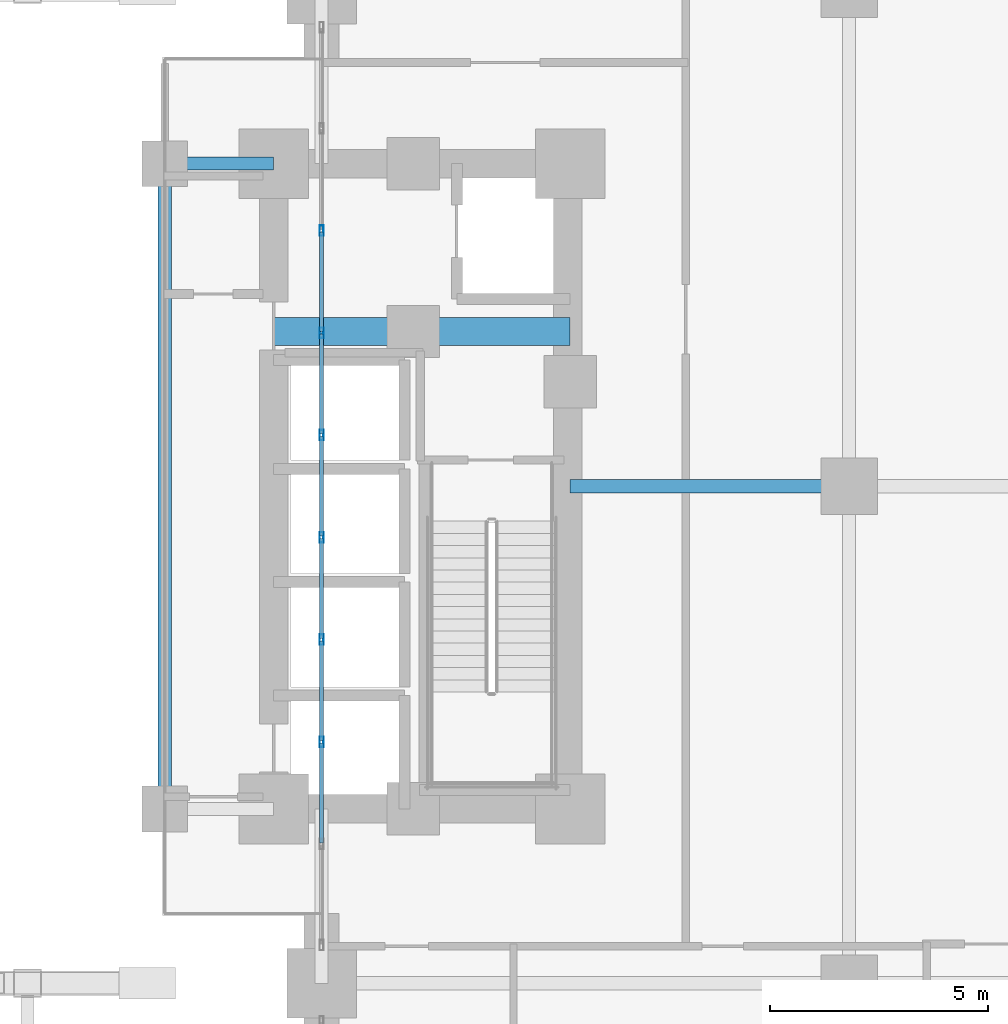
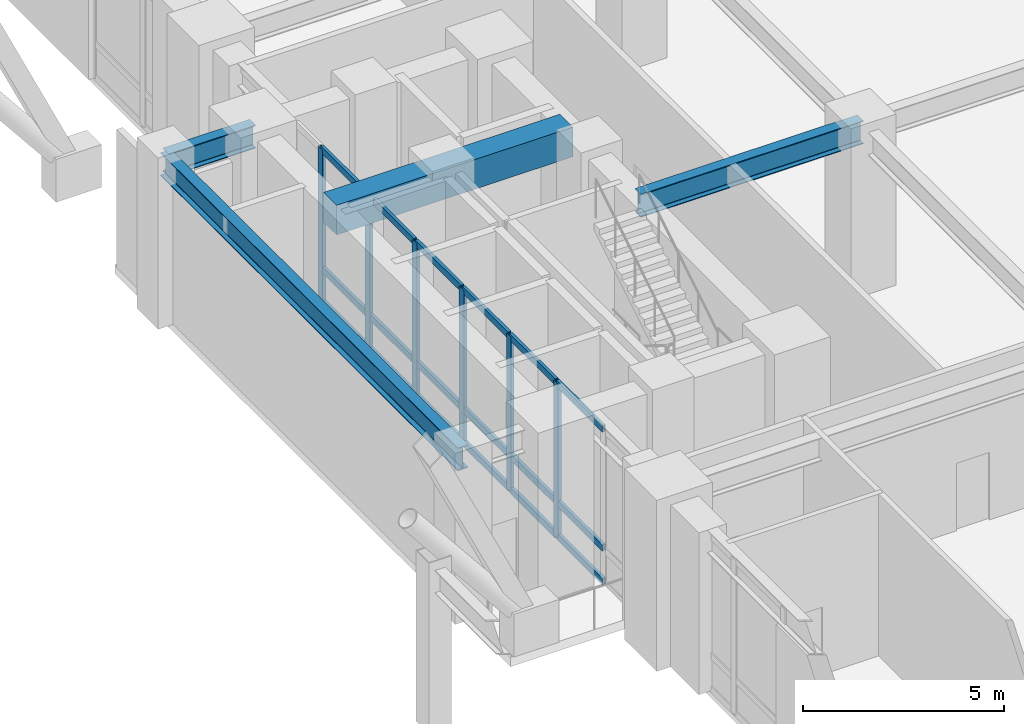
# One storey, part 8 of 26: 24 members, 4 beams, 1 element without a shape of its own.
"""IFC4 building model written with IfcOpenShell, lengths in metres."""

from ifc_helpers import new_model, si_unit, direction, frame, origin, origin_2d, place, context, subcontext, project, spatial, rectangle, hollow_rectangle, i_section, extrude, material, layer, layer_set, material_profile, profile_set, type_object, element, aggregate, save


model = new_model("IFC4")

# Units and contexts
model_context = context("Model", 3, precision=1e-05, world=origin(), true_north=direction((0.0, 1.0)))
body_context = subcontext(model_context, "Body", "Model", "MODEL_VIEW")
ifc_project = project(units=[si_unit("LENGTHUNIT", "METRE"), si_unit("AREAUNIT", "SQUARE_METRE"), si_unit("VOLUMEUNIT", "CUBIC_METRE"), si_unit("PLANEANGLEUNIT", "RADIAN"), si_unit("MASSUNIT", "GRAM", prefix="KILO")], contexts=[model_context])

# Site, building, storey
site_placement = place(None, origin())
site = spatial("IfcSite", under=ifc_project, at=site_placement, CompositionType="ELEMENT")
building_placement = place(site_placement, origin())
building = spatial("IfcBuilding", under=site, at=building_placement, Name="Voryun Gate Residences", CompositionType="ELEMENT")
storey_placement = place(building_placement, frame((0.0, 0.0, 10.39990234375)))
storey = spatial("IfcBuildingStorey", under=building, at=storey_placement, Name="L02", CompositionType="ELEMENT", Elevation=10.39990234375)

# Beams
ifc_material_1 = material(Name="Concrete C60/75", Category="concrete")
ifc_material_profile_1 = material_profile(ifc_material_1, rectangle(XDim=0.64990234375, YDim=0.89990234375, at=origin_2d()), Name="RC-650x900")
ifc_profile_set_1 = profile_set([ifc_material_profile_1], Name="Concrete C60/75")
beam_type_1 = type_object("IfcBeamType", Name="BM_COUP_RC900", PredefinedType="LINTEL", material=ifc_profile_set_1)
beam_1_placement = place(storey_placement, frame((12.39990234375, 3.550048828125, 4.47021484375), z_axis=(1.0, 0.0, 0.0), x_axis=(0.0, 1.0, 0.0)))
element("IfcBeam", 1, at=beam_1_placement, inside=storey, type_object=beam_type_1, Name="BM-L02-EC1", PredefinedType="LINTEL", context=body_context, shape_type="SweptSolid", body=[
    extrude(rectangle(XDim=0.64990234375, YDim=0.89990234375, at=origin_2d()), origin(), (0.0, 0.0, 1.0), 6.800048828125),
])
ifc_material_2 = material(Name="Steel SM355", Category="steel")
ifc_material_profile_2 = material_profile(ifc_material_2, i_section(OverallWidth=0.300048828125, OverallDepth=0.699951171875, WebThickness=0.012939453125, FlangeThickness=0.02392578125, FilletRadius=0.01806640625, at=origin_2d()), Name="H-700x300x13x24")
ifc_profile_set_2 = profile_set([ifc_material_profile_2], Name="Steel SM355")
beam_type_2 = type_object("IfcBeamType", Name="BM_GIRD_700", PredefinedType="USERDEFINED", material=ifc_profile_set_2)
beam_2_placement = place(storey_placement, frame((12.39990234375, 7.39990234375, 4.570068359375), z_axis=(-1.0, 0.0, 0.0), x_axis=(0.0, -1.0, 0.0)))
element("IfcBeam", 2, at=beam_2_placement, inside=storey, type_object=beam_type_2, Name="BM-L02-CLRX-CLR-EN", ObjectType="GIRDER", PredefinedType="USERDEFINED", context=body_context, shape_type="SweptSolid", body=[
    extrude(i_section(OverallWidth=0.300048828125, OverallDepth=0.699951171875, WebThickness=0.012939453125, FlangeThickness=0.02392578125, FilletRadius=0.01806640625, at=origin_2d()), origin(), (0.0, 0.0, 1.0), 2.5),
])
beam_3_placement = place(storey_placement, frame((9.89990234375, -7.39990234375, 4.570068359375), z_axis=(0.0, 1.0, 0.0), x_axis=(-1.0, 0.0, 0.0)))
element("IfcBeam", 3, at=beam_3_placement, inside=storey, type_object=beam_type_2, Name="BM-L02-CLRY-E", ObjectType="GIRDER", PredefinedType="USERDEFINED", context=body_context, shape_type="SweptSolid", body=[
    extrude(i_section(OverallWidth=0.300048828125, OverallDepth=0.699951171875, WebThickness=0.012939453125, FlangeThickness=0.02392578125, FilletRadius=0.01806640625, at=origin_2d()), origin(), (0.0, 0.0, 1.0), 14.7998046875),
])
beam_4_placement = place(storey_placement, frame((19.199951171875, 0.0, 4.570068359375), z_axis=(1.0, 0.0, 0.0), x_axis=(0.0, 1.0, 0.0)))
element("IfcBeam", 4, at=beam_4_placement, inside=storey, type_object=beam_type_2, Name="BM-L02-PEX-+0.0-0", ObjectType="GIRDER", PredefinedType="USERDEFINED", context=body_context, shape_type="SweptSolid", body=[
    extrude(i_section(OverallWidth=0.300048828125, OverallDepth=0.699951171875, WebThickness=0.012939453125, FlangeThickness=0.02392578125, FilletRadius=0.01806640625, at=origin_2d()), origin(), (0.0, 0.0, 1.0), 6.400146484375),
])

# Curtain wall, members
ifc_material_3 = material(Name="Anodised aluminium", Category="aluminium")
ifc_layer = layer(ifc_material_3, 0.239990234375, Name="CW_SYS_ARCH_DARK_GLASS")
ifc_layer_set = layer_set([ifc_layer], Name="Anodised aluminium")
curtain_wall_type = type_object("IfcCurtainWallType", Name="CW_SYS_ARCH_DARK_GLASS", PredefinedType="NOTDEFINED", material=ifc_layer_set)
curtain_wall_placement = place(storey_placement, origin())
curtain_wall = element("IfcCurtainWall", 5, at=curtain_wall_placement, inside=storey, type_object=curtain_wall_type, Name="Curtain wall CW2-L02-EP-M", PredefinedType="NOTDEFINED")
ifc_material_4 = material(Name="Anodised aluminium", Category="aluminium")
ifc_material_profile_3 = material_profile(ifc_material_4, hollow_rectangle(XDim=0.090087890625, YDim=0.239990234375, WallThickness=0.006103515625, at=origin_2d()), Name="ALU-MULL-240x90x6")
ifc_profile_set_3 = profile_set([ifc_material_profile_3], Name="Anodised aluminium")
member_type_1 = type_object("IfcMemberType", Name="CW_MULL_ARCH", PredefinedType="MULLION", material=ifc_profile_set_3)
member_1_placement = place(storey_placement, frame((13.5, -5.86376953125, 0.0), z_axis=(0.0, 0.0, 1.0), x_axis=(-1.0, 0.0, 0.0)))
member_1 = element("IfcMember", 6, at=member_1_placement, type_object=member_type_1, Name="CW2 mullion 3", PredefinedType="MULLION", context=body_context, shape_type="SweptSolid", body=[
    extrude(hollow_rectangle(XDim=0.090087890625, YDim=0.239990234375, WallThickness=0.006103515625, at=origin_2d()), origin(), (0.0, 0.0, 1.0), 4.7001953125),
])
member_2_placement = place(storey_placement, frame((13.5, -3.518310546875, 0.0), z_axis=(0.0, 0.0, 1.0), x_axis=(-1.0, 0.0, 0.0)))
member_2 = element("IfcMember", 7, at=member_2_placement, type_object=member_type_1, Name="CW2 mullion 4", PredefinedType="MULLION", context=body_context, shape_type="SweptSolid", body=[
    extrude(hollow_rectangle(XDim=0.090087890625, YDim=0.239990234375, WallThickness=0.006103515625, at=origin_2d()), origin(), (0.0, 0.0, 1.0), 4.7001953125),
])
member_3_placement = place(storey_placement, frame((13.5, -1.1728515625, 0.0), z_axis=(0.0, 0.0, 1.0), x_axis=(-1.0, 0.0, 0.0)))
member_3 = element("IfcMember", 8, at=member_3_placement, type_object=member_type_1, Name="CW2 mullion 5", PredefinedType="MULLION", context=body_context, shape_type="SweptSolid", body=[
    extrude(hollow_rectangle(XDim=0.090087890625, YDim=0.239990234375, WallThickness=0.006103515625, at=origin_2d()), origin(), (0.0, 0.0, 1.0), 4.7001953125),
])
member_4_placement = place(storey_placement, frame((13.5, 1.1728515625, 0.0), z_axis=(0.0, 0.0, 1.0), x_axis=(-1.0, 0.0, 0.0)))
member_4 = element("IfcMember", 9, at=member_4_placement, type_object=member_type_1, Name="CW2 mullion 6", PredefinedType="MULLION", context=body_context, shape_type="SweptSolid", body=[
    extrude(hollow_rectangle(XDim=0.090087890625, YDim=0.239990234375, WallThickness=0.006103515625, at=origin_2d()), origin(), (0.0, 0.0, 1.0), 4.7001953125),
])
member_5_placement = place(storey_placement, frame((13.5, 3.518310546875, 0.0), z_axis=(0.0, 0.0, 1.0), x_axis=(-1.0, 0.0, 0.0)))
member_5 = element("IfcMember", 10, at=member_5_placement, type_object=member_type_1, Name="CW2 mullion 7", PredefinedType="MULLION", context=body_context, shape_type="SweptSolid", body=[
    extrude(hollow_rectangle(XDim=0.090087890625, YDim=0.239990234375, WallThickness=0.006103515625, at=origin_2d()), origin(), (0.0, 0.0, 1.0), 4.7001953125),
])
member_6_placement = place(storey_placement, frame((13.5, 5.86376953125, 0.0), z_axis=(0.0, 0.0, 1.0), x_axis=(-1.0, 0.0, 0.0)))
member_6 = element("IfcMember", 11, at=member_6_placement, type_object=member_type_1, Name="CW2 mullion 8", PredefinedType="MULLION", context=body_context, shape_type="SweptSolid", body=[
    extrude(hollow_rectangle(XDim=0.090087890625, YDim=0.239990234375, WallThickness=0.006103515625, at=origin_2d()), origin(), (0.0, 0.0, 1.0), 4.7001953125),
])
ifc_material_5 = material(Name="Anodised aluminium", Category="aluminium")
ifc_material_profile_4 = material_profile(ifc_material_5, hollow_rectangle(XDim=0.090087890625, YDim=0.199951171875, WallThickness=0.006103515625, at=origin_2d()), Name="ALU-TRAN-200x90x6")
ifc_profile_set_4 = profile_set([ifc_material_profile_4], Name="Anodised aluminium")
member_type_2 = type_object("IfcMemberType", Name="CW_TRAN_ARCH", PredefinedType="USERDEFINED", material=ifc_profile_set_4)
member_7_placement = place(storey_placement, frame((13.5, -8.179443359375, 0.030029296875), z_axis=(0.0, 1.0, 0.0), x_axis=(-1.0, 0.0, 0.0)))
member_7 = element("IfcMember", 12, at=member_7_placement, type_object=member_type_2, Name="CW2 transom 2.1", ObjectType="TRANSOM", PredefinedType="USERDEFINED", context=body_context, shape_type="SweptSolid", body=[
    extrude(hollow_rectangle(XDim=0.090087890625, YDim=0.199951171875, WallThickness=0.006103515625, at=origin_2d()), origin(), (0.0, 0.0, 1.0), 2.28564453125),
])
member_8_placement = place(storey_placement, frame((13.5, -8.179443359375, 1.050048828125), z_axis=(0.0, 1.0, 0.0), x_axis=(-1.0, 0.0, 0.0)))
member_8 = element("IfcMember", 13, at=member_8_placement, type_object=member_type_2, Name="CW2 transom 2.2", ObjectType="TRANSOM", PredefinedType="USERDEFINED", context=body_context, shape_type="SweptSolid", body=[
    extrude(hollow_rectangle(XDim=0.090087890625, YDim=0.199951171875, WallThickness=0.006103515625, at=origin_2d()), origin(), (0.0, 0.0, 1.0), 2.28564453125),
])
member_9_placement = place(storey_placement, frame((13.5, -8.179443359375, 4.670166015625), z_axis=(0.0, 1.0, 0.0), x_axis=(-1.0, 0.0, 0.0)))
member_9 = element("IfcMember", 14, at=member_9_placement, type_object=member_type_2, Name="CW2 transom 2.3", ObjectType="TRANSOM", PredefinedType="USERDEFINED", context=body_context, shape_type="SweptSolid", body=[
    extrude(hollow_rectangle(XDim=0.090087890625, YDim=0.199951171875, WallThickness=0.006103515625, at=origin_2d()), origin(), (0.0, 0.0, 1.0), 2.28564453125),
])
member_10_placement = place(storey_placement, frame((13.5, -5.833984375, 0.030029296875), z_axis=(0.0, 1.0, 0.0), x_axis=(-1.0, 0.0, 0.0)))
member_10 = element("IfcMember", 15, at=member_10_placement, type_object=member_type_2, Name="CW2 transom 3.1", ObjectType="TRANSOM", PredefinedType="USERDEFINED", context=body_context, shape_type="SweptSolid", body=[
    extrude(hollow_rectangle(XDim=0.090087890625, YDim=0.199951171875, WallThickness=0.006103515625, at=origin_2d()), origin(), (0.0, 0.0, 1.0), 2.28564453125),
])
member_11_placement = place(storey_placement, frame((13.5, -5.833984375, 1.050048828125), z_axis=(0.0, 1.0, 0.0), x_axis=(-1.0, 0.0, 0.0)))
member_11 = element("IfcMember", 16, at=member_11_placement, type_object=member_type_2, Name="CW2 transom 3.2", ObjectType="TRANSOM", PredefinedType="USERDEFINED", context=body_context, shape_type="SweptSolid", body=[
    extrude(hollow_rectangle(XDim=0.090087890625, YDim=0.199951171875, WallThickness=0.006103515625, at=origin_2d()), origin(), (0.0, 0.0, 1.0), 2.28564453125),
])
member_12_placement = place(storey_placement, frame((13.5, -5.833984375, 4.670166015625), z_axis=(0.0, 1.0, 0.0), x_axis=(-1.0, 0.0, 0.0)))
member_12 = element("IfcMember", 17, at=member_12_placement, type_object=member_type_2, Name="CW2 transom 3.3", ObjectType="TRANSOM", PredefinedType="USERDEFINED", context=body_context, shape_type="SweptSolid", body=[
    extrude(hollow_rectangle(XDim=0.090087890625, YDim=0.199951171875, WallThickness=0.006103515625, at=origin_2d()), origin(), (0.0, 0.0, 1.0), 2.28564453125),
])
member_13_placement = place(storey_placement, frame((13.5, -3.48828125, 0.030029296875), z_axis=(0.0, 1.0, 0.0), x_axis=(-1.0, 0.0, 0.0)))
member_13 = element("IfcMember", 18, at=member_13_placement, type_object=member_type_2, Name="CW2 transom 4.1", ObjectType="TRANSOM", PredefinedType="USERDEFINED", context=body_context, shape_type="SweptSolid", body=[
    extrude(hollow_rectangle(XDim=0.090087890625, YDim=0.199951171875, WallThickness=0.006103515625, at=origin_2d()), origin(), (0.0, 0.0, 1.0), 2.285400390625),
])
member_14_placement = place(storey_placement, frame((13.5, -3.48828125, 1.050048828125), z_axis=(0.0, 1.0, 0.0), x_axis=(-1.0, 0.0, 0.0)))
member_14 = element("IfcMember", 19, at=member_14_placement, type_object=member_type_2, Name="CW2 transom 4.2", ObjectType="TRANSOM", PredefinedType="USERDEFINED", context=body_context, shape_type="SweptSolid", body=[
    extrude(hollow_rectangle(XDim=0.090087890625, YDim=0.199951171875, WallThickness=0.006103515625, at=origin_2d()), origin(), (0.0, 0.0, 1.0), 2.285400390625),
])
member_15_placement = place(storey_placement, frame((13.5, -3.48828125, 4.670166015625), z_axis=(0.0, 1.0, 0.0), x_axis=(-1.0, 0.0, 0.0)))
member_15 = element("IfcMember", 20, at=member_15_placement, type_object=member_type_2, Name="CW2 transom 4.3", ObjectType="TRANSOM", PredefinedType="USERDEFINED", context=body_context, shape_type="SweptSolid", body=[
    extrude(hollow_rectangle(XDim=0.090087890625, YDim=0.199951171875, WallThickness=0.006103515625, at=origin_2d()), origin(), (0.0, 0.0, 1.0), 2.285400390625),
])
member_16_placement = place(storey_placement, frame((13.5, -1.142822265625, 0.030029296875), z_axis=(0.0, 1.0, 0.0), x_axis=(-1.0, 0.0, 0.0)))
member_16 = element("IfcMember", 21, at=member_16_placement, type_object=member_type_2, Name="CW2 transom 5.1", ObjectType="TRANSOM", PredefinedType="USERDEFINED", context=body_context, shape_type="SweptSolid", body=[
    extrude(hollow_rectangle(XDim=0.090087890625, YDim=0.199951171875, WallThickness=0.006103515625, at=origin_2d()), origin(), (0.0, 0.0, 1.0), 2.28564453125),
])
member_17_placement = place(storey_placement, frame((13.5, -1.142822265625, 1.050048828125), z_axis=(0.0, 1.0, 0.0), x_axis=(-1.0, 0.0, 0.0)))
member_17 = element("IfcMember", 22, at=member_17_placement, type_object=member_type_2, Name="CW2 transom 5.2", ObjectType="TRANSOM", PredefinedType="USERDEFINED", context=body_context, shape_type="SweptSolid", body=[
    extrude(hollow_rectangle(XDim=0.090087890625, YDim=0.199951171875, WallThickness=0.006103515625, at=origin_2d()), origin(), (0.0, 0.0, 1.0), 2.28564453125),
])
member_18_placement = place(storey_placement, frame((13.5, -1.142822265625, 4.670166015625), z_axis=(0.0, 1.0, 0.0), x_axis=(-1.0, 0.0, 0.0)))
member_18 = element("IfcMember", 23, at=member_18_placement, type_object=member_type_2, Name="CW2 transom 5.3", ObjectType="TRANSOM", PredefinedType="USERDEFINED", context=body_context, shape_type="SweptSolid", body=[
    extrude(hollow_rectangle(XDim=0.090087890625, YDim=0.199951171875, WallThickness=0.006103515625, at=origin_2d()), origin(), (0.0, 0.0, 1.0), 2.28564453125),
])
member_19_placement = place(storey_placement, frame((13.5, 1.202880859375, 0.030029296875), z_axis=(0.0, 1.0, 0.0), x_axis=(-1.0, 0.0, 0.0)))
member_19 = element("IfcMember", 24, at=member_19_placement, type_object=member_type_2, Name="CW2 transom 6.1", ObjectType="TRANSOM", PredefinedType="USERDEFINED", context=body_context, shape_type="SweptSolid", body=[
    extrude(hollow_rectangle(XDim=0.090087890625, YDim=0.199951171875, WallThickness=0.006103515625, at=origin_2d()), origin(), (0.0, 0.0, 1.0), 2.285400390625),
])
member_20_placement = place(storey_placement, frame((13.5, 1.202880859375, 1.050048828125), z_axis=(0.0, 1.0, 0.0), x_axis=(-1.0, 0.0, 0.0)))
member_20 = element("IfcMember", 25, at=member_20_placement, type_object=member_type_2, Name="CW2 transom 6.2", ObjectType="TRANSOM", PredefinedType="USERDEFINED", context=body_context, shape_type="SweptSolid", body=[
    extrude(hollow_rectangle(XDim=0.090087890625, YDim=0.199951171875, WallThickness=0.006103515625, at=origin_2d()), origin(), (0.0, 0.0, 1.0), 2.285400390625),
])
member_21_placement = place(storey_placement, frame((13.5, 1.202880859375, 4.670166015625), z_axis=(0.0, 1.0, 0.0), x_axis=(-1.0, 0.0, 0.0)))
member_21 = element("IfcMember", 26, at=member_21_placement, type_object=member_type_2, Name="CW2 transom 6.3", ObjectType="TRANSOM", PredefinedType="USERDEFINED", context=body_context, shape_type="SweptSolid", body=[
    extrude(hollow_rectangle(XDim=0.090087890625, YDim=0.199951171875, WallThickness=0.006103515625, at=origin_2d()), origin(), (0.0, 0.0, 1.0), 2.285400390625),
])
member_22_placement = place(storey_placement, frame((13.5, 3.54833984375, 0.030029296875), z_axis=(0.0, 1.0, 0.0), x_axis=(-1.0, 0.0, 0.0)))
member_22 = element("IfcMember", 27, at=member_22_placement, type_object=member_type_2, Name="CW2 transom 7.1", ObjectType="TRANSOM", PredefinedType="USERDEFINED", context=body_context, shape_type="SweptSolid", body=[
    extrude(hollow_rectangle(XDim=0.090087890625, YDim=0.199951171875, WallThickness=0.006103515625, at=origin_2d()), origin(), (0.0, 0.0, 1.0), 2.28564453125),
])
member_23_placement = place(storey_placement, frame((13.5, 3.54833984375, 1.050048828125), z_axis=(0.0, 1.0, 0.0), x_axis=(-1.0, 0.0, 0.0)))
member_23 = element("IfcMember", 28, at=member_23_placement, type_object=member_type_2, Name="CW2 transom 7.2", ObjectType="TRANSOM", PredefinedType="USERDEFINED", context=body_context, shape_type="SweptSolid", body=[
    extrude(hollow_rectangle(XDim=0.090087890625, YDim=0.199951171875, WallThickness=0.006103515625, at=origin_2d()), origin(), (0.0, 0.0, 1.0), 2.28564453125),
])
member_24_placement = place(storey_placement, frame((13.5, 3.54833984375, 4.670166015625), z_axis=(0.0, 1.0, 0.0), x_axis=(-1.0, 0.0, 0.0)))
member_24 = element("IfcMember", 29, at=member_24_placement, type_object=member_type_2, Name="CW2 transom 7.3", ObjectType="TRANSOM", PredefinedType="USERDEFINED", context=body_context, shape_type="SweptSolid", body=[
    extrude(hollow_rectangle(XDim=0.090087890625, YDim=0.199951171875, WallThickness=0.006103515625, at=origin_2d()), origin(), (0.0, 0.0, 1.0), 2.28564453125),
])
aggregate(curtain_wall, [member_1, member_2, member_3, member_4, member_5, member_6, member_7, member_8, member_9, member_10, member_11, member_12, member_13, member_14, member_15, member_16, member_17, member_18, member_19, member_20, member_21, member_22, member_23, member_24])

save(model, "model.ifc")
